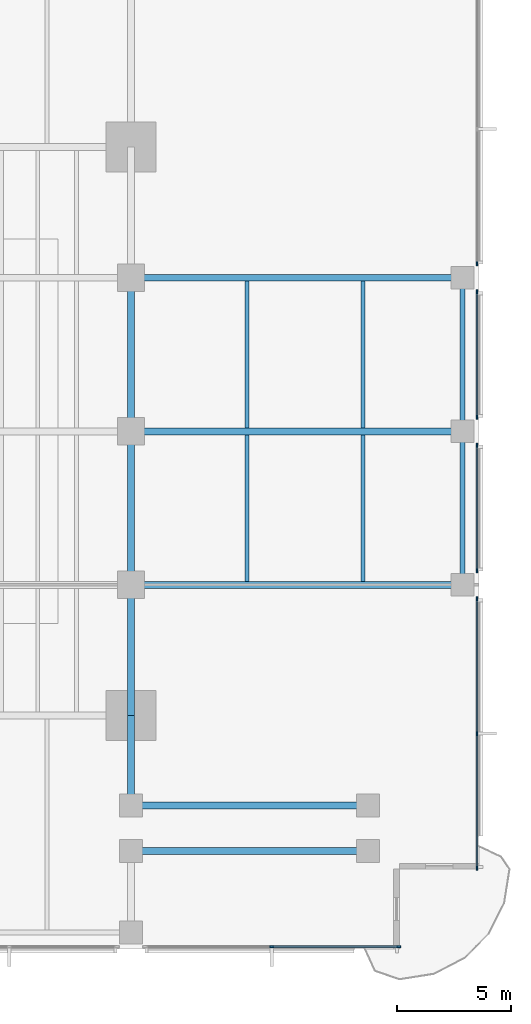
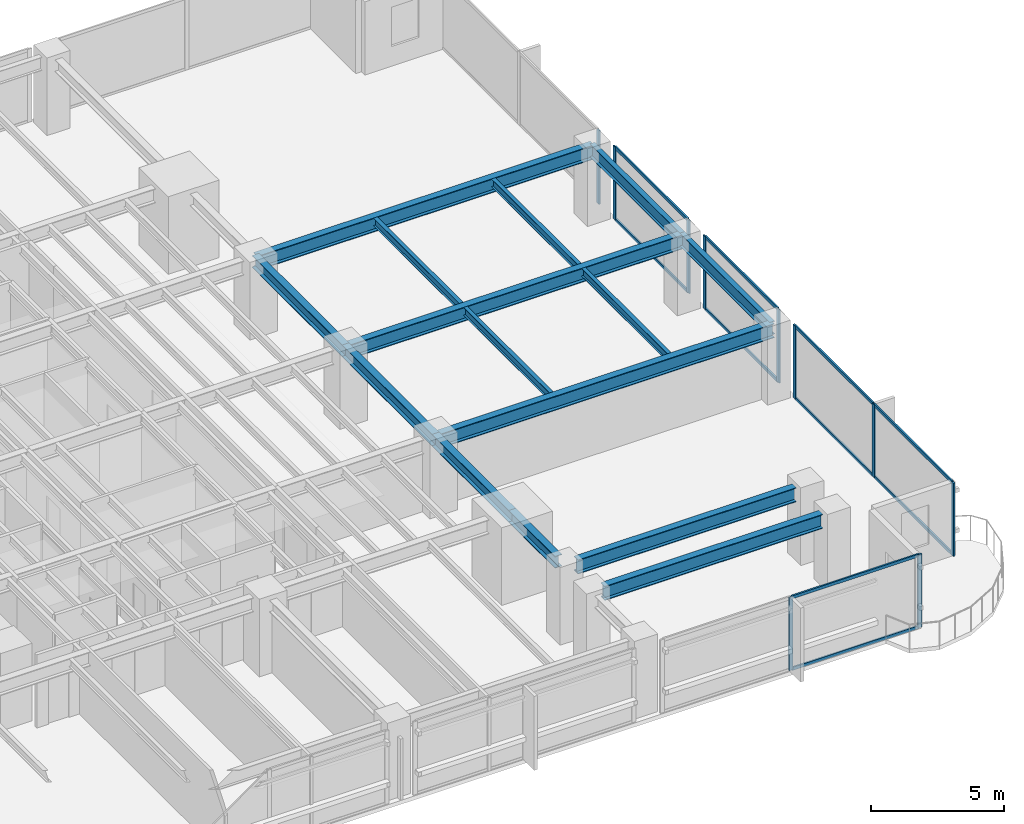
# One storey, part 4 of 15: 20 members, 15 beams, 5 elements without a shape of their own.
"""IFC4 building model written with IfcOpenShell, lengths in metres."""

from ifc_helpers import new_model, si_unit, direction, frame, origin, origin_2d, place, context, subcontext, project, spatial, rectangle, i_section, extrude, material, layer, layer_set, material_profile, profile_set, type_object, element, aggregate, save


model = new_model("IFC4")

# Units and contexts
model_context = context("Model", 3, precision=1e-05, world=origin(), true_north=direction((0.0, 1.0)))
body_context = subcontext(model_context, "Body", "Model", "MODEL_VIEW")
ifc_project = project(units=[si_unit("LENGTHUNIT", "METRE"), si_unit("AREAUNIT", "SQUARE_METRE"), si_unit("VOLUMEUNIT", "CUBIC_METRE"), si_unit("PLANEANGLEUNIT", "RADIAN"), si_unit("MASSUNIT", "GRAM", prefix="KILO")], contexts=[model_context])

# Site, building, storey
site_placement = place(None, origin())
site = spatial("IfcSite", under=ifc_project, at=site_placement, CompositionType="ELEMENT")
building_placement = place(site_placement, origin())
building = spatial("IfcBuilding", under=site, at=building_placement, Name="Kinhvarn Gate Tower", CompositionType="ELEMENT")
storey_placement = place(building_placement, frame((0.0, 0.0, 89.5)))
storey = spatial("IfcBuildingStorey", under=building, at=storey_placement, Name="L23", CompositionType="ELEMENT", Elevation=89.5)

# Curtain wall, members
ifc_material_1 = material(Name="Anodised aluminium AW-6063", Category="aluminium")
ifc_layer = layer(ifc_material_1, 0.179931640625)
ifc_layer_set = layer_set([ifc_layer], Name="Anodised aluminium AW-6063")
curtain_wall_type = type_object("IfcCurtainWallType", Name="CW-SYS-2", PredefinedType="NOTDEFINED", material=ifc_layer_set)
curtain_wall_1_placement = place(storey_placement, origin())
curtain_wall_1 = element("IfcCurtainWall", 1, at=curtain_wall_1_placement, inside=storey, type_object=curtain_wall_type, Name="Curtain Wall CW2 (L23)", PredefinedType="NOTDEFINED")
ifc_material_profile_1 = material_profile(ifc_material_1, rectangle(XDim=0.070068359375, YDim=0.179931640625, at=origin_2d()), Name="ALU 70x180")
ifc_profile_set_1 = profile_set([ifc_material_profile_1], Name="Anodised aluminium AW-6063")
member_type_1 = type_object("IfcMemberType", Name="CW-MUL-180", PredefinedType="MULLION", material=ifc_profile_set_1)
member_1_placement = place(storey_placement, frame((44.389892578125, 2.590087890625, 0.0), z_axis=(0.0, 0.0, 1.0), x_axis=(0.0, 1.0, 0.0)))
member_1 = element("IfcMember", 2, at=member_1_placement, type_object=member_type_1, Name="CW2 mullion 2", PredefinedType="MULLION", context=body_context, shape_type="SweptSolid", body=[
    extrude(rectangle(XDim=0.070068359375, YDim=0.179931640625, at=origin_2d()), origin(), (0.0, 0.0, 1.0), 3.35009765625),
])
member_2_placement = place(storey_placement, frame((49.965087890625, 2.590087890625, 0.0), z_axis=(0.0, 0.0, 1.0), x_axis=(0.0, 1.0, 0.0)))
member_2 = element("IfcMember", 3, at=member_2_placement, type_object=member_type_1, Name="CW2 mullion 3", PredefinedType="MULLION", context=body_context, shape_type="SweptSolid", body=[
    extrude(rectangle(XDim=0.070068359375, YDim=0.179931640625, at=origin_2d()), origin(), (0.0, 0.0, 1.0), 3.35009765625),
])

curtain_wall_2_placement = place(storey_placement, origin())
curtain_wall_2 = element("IfcCurtainWall", 4, at=curtain_wall_2_placement, inside=storey, type_object=curtain_wall_type, Name="Curtain Wall CW2 (L23)", PredefinedType="NOTDEFINED")
member_3_placement = place(storey_placement, frame((53.409912109375, 6.034912109375, 0.0), z_axis=(0.0, 0.0, 1.0), x_axis=(-1.0, 0.0, 0.0)))
member_3 = element("IfcMember", 5, at=member_3_placement, type_object=member_type_1, Name="CW2 mullion 1", PredefinedType="MULLION", context=body_context, shape_type="SweptSolid", body=[
    extrude(rectangle(XDim=0.070068359375, YDim=0.179931640625, at=origin_2d()), origin(), (0.0, 0.0, 1.0), 3.35009765625),
])
member_4_placement = place(storey_placement, frame((53.409912109375, 11.9599609375, 0.0), z_axis=(0.0, 0.0, 1.0), x_axis=(-1.0, 0.0, 0.0)))
member_4 = element("IfcMember", 6, at=member_4_placement, type_object=member_type_1, Name="CW2 mullion 2", PredefinedType="MULLION", context=body_context, shape_type="SweptSolid", body=[
    extrude(rectangle(XDim=0.070068359375, YDim=0.179931640625, at=origin_2d()), origin(), (0.0, 0.0, 1.0), 3.35009765625),
])
member_5_placement = place(storey_placement, frame((53.409912109375, 17.885009765625, 0.0), z_axis=(0.0, 0.0, 1.0), x_axis=(-1.0, 0.0, 0.0)))
member_5 = element("IfcMember", 7, at=member_5_placement, type_object=member_type_1, Name="CW2 mullion 3", PredefinedType="MULLION", context=body_context, shape_type="SweptSolid", body=[
    extrude(rectangle(XDim=0.070068359375, YDim=0.179931640625, at=origin_2d()), origin(), (0.0, 0.0, 1.0), 3.35009765625),
])

curtain_wall_3_placement = place(storey_placement, origin())
curtain_wall_3 = element("IfcCurtainWall", 8, at=curtain_wall_3_placement, inside=storey, type_object=curtain_wall_type, Name="Curtain Wall CW2 (L23)", PredefinedType="NOTDEFINED")
member_6_placement = place(storey_placement, frame((53.409912109375, 19.114990234375, 0.0), z_axis=(0.0, 0.0, 1.0), x_axis=(-1.0, 0.0, 0.0)))
member_6 = element("IfcMember", 9, at=member_6_placement, type_object=member_type_1, Name="CW2 mullion 1", PredefinedType="MULLION", context=body_context, shape_type="SweptSolid", body=[
    extrude(rectangle(XDim=0.070068359375, YDim=0.179931640625, at=origin_2d()), origin(), (0.0, 0.0, 1.0), 3.35009765625),
])
member_7_placement = place(storey_placement, frame((53.409912109375, 24.635009765625, 0.0), z_axis=(0.0, 0.0, 1.0), x_axis=(-1.0, 0.0, 0.0)))
member_7 = element("IfcMember", 10, at=member_7_placement, type_object=member_type_1, Name="CW2 mullion 2", PredefinedType="MULLION", context=body_context, shape_type="SweptSolid", body=[
    extrude(rectangle(XDim=0.070068359375, YDim=0.179931640625, at=origin_2d()), origin(), (0.0, 0.0, 1.0), 3.35009765625),
])

curtain_wall_4_placement = place(storey_placement, origin())
curtain_wall_4 = element("IfcCurtainWall", 11, at=curtain_wall_4_placement, inside=storey, type_object=curtain_wall_type, Name="Curtain Wall CW2 (L23)", PredefinedType="NOTDEFINED")
member_8_placement = place(storey_placement, frame((53.409912109375, 25.864990234375, 0.0), z_axis=(0.0, 0.0, 1.0), x_axis=(-1.0, 0.0, 0.0)))
member_8 = element("IfcMember", 12, at=member_8_placement, type_object=member_type_1, Name="CW2 mullion 1", PredefinedType="MULLION", context=body_context, shape_type="SweptSolid", body=[
    extrude(rectangle(XDim=0.070068359375, YDim=0.179931640625, at=origin_2d()), origin(), (0.0, 0.0, 1.0), 3.35009765625),
])
member_9_placement = place(storey_placement, frame((53.409912109375, 31.385009765625, 0.0), z_axis=(0.0, 0.0, 1.0), x_axis=(-1.0, 0.0, 0.0)))
member_9 = element("IfcMember", 13, at=member_9_placement, type_object=member_type_1, Name="CW2 mullion 2", PredefinedType="MULLION", context=body_context, shape_type="SweptSolid", body=[
    extrude(rectangle(XDim=0.070068359375, YDim=0.179931640625, at=origin_2d()), origin(), (0.0, 0.0, 1.0), 3.35009765625),
])

# Curtain wall, member
curtain_wall_5_placement = place(storey_placement, origin())
curtain_wall_5 = element("IfcCurtainWall", 14, at=curtain_wall_5_placement, inside=storey, type_object=curtain_wall_type, Name="Curtain Wall CW2 (L23)", PredefinedType="NOTDEFINED")
member_10_placement = place(storey_placement, frame((53.409912109375, 32.614990234375, 0.0), z_axis=(0.0, 0.0, 1.0), x_axis=(-1.0, 0.0, 0.0)))
member_10 = element("IfcMember", 15, at=member_10_placement, type_object=member_type_1, Name="CW2 mullion 1", PredefinedType="MULLION", context=body_context, shape_type="SweptSolid", body=[
    extrude(rectangle(XDim=0.070068359375, YDim=0.179931640625, at=origin_2d()), origin(), (0.0, 0.0, 1.0), 3.35009765625),
])
aggregate(curtain_wall_5, [member_10])

# Member
ifc_material_profile_2 = material_profile(ifc_material_1, rectangle(XDim=0.070068359375, YDim=0.139892578125, at=origin_2d()), Name="ALU 70x140")
ifc_profile_set_2 = profile_set([ifc_material_profile_2], Name="Anodised aluminium AW-6063")
member_type_2 = type_object("IfcMemberType", Name="CW-TRN-140", PredefinedType="USERDEFINED", material=ifc_profile_set_2)
member_11_placement = place(storey_placement, frame((44.425048828125, 2.590087890625, 0.034912109375), z_axis=(1.0, 0.0, 0.0), x_axis=(0.0, 1.0, 0.0)))
member_11 = element("IfcMember", 16, at=member_11_placement, type_object=member_type_2, Name="CW2 transom 2.1", ObjectType="TRANSOM", PredefinedType="USERDEFINED", context=body_context, shape_type="SweptSolid", body=[
    extrude(rectangle(XDim=0.070068359375, YDim=0.139892578125, at=origin_2d()), origin(), (0.0, 0.0, 1.0), 5.5048828125),
])

member_12_placement = place(storey_placement, frame((44.425048828125, 2.590087890625, 3.31494140625), z_axis=(1.0, 0.0, 0.0), x_axis=(0.0, 1.0, 0.0)))
member_12 = element("IfcMember", 17, at=member_12_placement, type_object=member_type_2, Name="CW2 transom 2.2", ObjectType="TRANSOM", PredefinedType="USERDEFINED", context=body_context, shape_type="SweptSolid", body=[
    extrude(rectangle(XDim=0.070068359375, YDim=0.139892578125, at=origin_2d()), origin(), (0.0, 0.0, 1.0), 5.5048828125),
])

aggregate(curtain_wall_1, [member_1, member_2, member_11, member_12])

member_13_placement = place(storey_placement, frame((53.409912109375, 6.070068359375, 0.034912109375), z_axis=(0.0, 1.0, 0.0), x_axis=(-1.0, 0.0, 0.0)))
member_13 = element("IfcMember", 18, at=member_13_placement, type_object=member_type_2, Name="CW2 transom 1.1", ObjectType="TRANSOM", PredefinedType="USERDEFINED", context=body_context, shape_type="SweptSolid", body=[
    extrude(rectangle(XDim=0.070068359375, YDim=0.139892578125, at=origin_2d()), origin(), (0.0, 0.0, 1.0), 5.85498046875),
])

member_14_placement = place(storey_placement, frame((53.409912109375, 6.070068359375, 3.31494140625), z_axis=(0.0, 1.0, 0.0), x_axis=(-1.0, 0.0, 0.0)))
member_14 = element("IfcMember", 19, at=member_14_placement, type_object=member_type_2, Name="CW2 transom 1.2", ObjectType="TRANSOM", PredefinedType="USERDEFINED", context=body_context, shape_type="SweptSolid", body=[
    extrude(rectangle(XDim=0.070068359375, YDim=0.139892578125, at=origin_2d()), origin(), (0.0, 0.0, 1.0), 5.85498046875),
])

member_15_placement = place(storey_placement, frame((53.409912109375, 11.9951171875, 0.034912109375), z_axis=(0.0, 1.0, 0.0), x_axis=(-1.0, 0.0, 0.0)))
member_15 = element("IfcMember", 20, at=member_15_placement, type_object=member_type_2, Name="CW2 transom 2.1", ObjectType="TRANSOM", PredefinedType="USERDEFINED", context=body_context, shape_type="SweptSolid", body=[
    extrude(rectangle(XDim=0.070068359375, YDim=0.139892578125, at=origin_2d()), origin(), (0.0, 0.0, 1.0), 5.85498046875),
])

member_16_placement = place(storey_placement, frame((53.409912109375, 11.9951171875, 3.31494140625), z_axis=(0.0, 1.0, 0.0), x_axis=(-1.0, 0.0, 0.0)))
member_16 = element("IfcMember", 21, at=member_16_placement, type_object=member_type_2, Name="CW2 transom 2.2", ObjectType="TRANSOM", PredefinedType="USERDEFINED", context=body_context, shape_type="SweptSolid", body=[
    extrude(rectangle(XDim=0.070068359375, YDim=0.139892578125, at=origin_2d()), origin(), (0.0, 0.0, 1.0), 5.85498046875),
])

aggregate(curtain_wall_2, [member_3, member_4, member_5, member_13, member_14, member_15, member_16])

member_17_placement = place(storey_placement, frame((53.409912109375, 19.14990234375, 0.034912109375), z_axis=(0.0, 1.0, 0.0), x_axis=(-1.0, 0.0, 0.0)))
member_17 = element("IfcMember", 22, at=member_17_placement, type_object=member_type_2, Name="CW2 transom 1.1", ObjectType="TRANSOM", PredefinedType="USERDEFINED", context=body_context, shape_type="SweptSolid", body=[
    extrude(rectangle(XDim=0.070068359375, YDim=0.139892578125, at=origin_2d()), origin(), (0.0, 0.0, 1.0), 5.4501953125),
])

member_18_placement = place(storey_placement, frame((53.409912109375, 19.14990234375, 3.31494140625), z_axis=(0.0, 1.0, 0.0), x_axis=(-1.0, 0.0, 0.0)))
member_18 = element("IfcMember", 23, at=member_18_placement, type_object=member_type_2, Name="CW2 transom 1.2", ObjectType="TRANSOM", PredefinedType="USERDEFINED", context=body_context, shape_type="SweptSolid", body=[
    extrude(rectangle(XDim=0.070068359375, YDim=0.139892578125, at=origin_2d()), origin(), (0.0, 0.0, 1.0), 5.4501953125),
])

aggregate(curtain_wall_3, [member_6, member_7, member_17, member_18])

member_19_placement = place(storey_placement, frame((53.409912109375, 25.89990234375, 0.034912109375), z_axis=(0.0, 1.0, 0.0), x_axis=(-1.0, 0.0, 0.0)))
member_19 = element("IfcMember", 24, at=member_19_placement, type_object=member_type_2, Name="CW2 transom 1.1", ObjectType="TRANSOM", PredefinedType="USERDEFINED", context=body_context, shape_type="SweptSolid", body=[
    extrude(rectangle(XDim=0.070068359375, YDim=0.139892578125, at=origin_2d()), origin(), (0.0, 0.0, 1.0), 5.4501953125),
])

member_20_placement = place(storey_placement, frame((53.409912109375, 25.89990234375, 3.31494140625), z_axis=(0.0, 1.0, 0.0), x_axis=(-1.0, 0.0, 0.0)))
member_20 = element("IfcMember", 25, at=member_20_placement, type_object=member_type_2, Name="CW2 transom 1.2", ObjectType="TRANSOM", PredefinedType="USERDEFINED", context=body_context, shape_type="SweptSolid", body=[
    extrude(rectangle(XDim=0.070068359375, YDim=0.139892578125, at=origin_2d()), origin(), (0.0, 0.0, 1.0), 5.4501953125),
])

aggregate(curtain_wall_4, [member_8, member_9, member_19, member_20])

# Beams
ifc_material_2 = material(Name="Steel S355", Category="steel")
ifc_material_profile_3 = material_profile(ifc_material_2, i_section(OverallWidth=0.300048828125, OverallDepth=0.550048828125, WebThickness=0.014892578125, FlangeThickness=0.029052734375, at=origin_2d()), Name="HEB 550")
ifc_profile_set_3 = profile_set([ifc_material_profile_3], Name="Steel S355")
beam_type_1 = type_object("IfcBeamType", Name="STL-HEB550", PredefinedType="BEAM", material=ifc_profile_set_3)
beam_1_placement = place(storey_placement, frame((38.199951171875, 9.284912109375, 3.074951171875), z_axis=(0.0, 1.0, 0.0), x_axis=(-1.0, 0.0, 0.0)))
element("IfcBeam", 26, at=beam_1_placement, inside=storey, type_object=beam_type_1, Name="Floor Beam PG-15 (L23 MCE-S-A2)", PredefinedType="BEAM", context=body_context, shape_type="SweptSolid", body=[
    extrude(i_section(OverallWidth=0.300048828125, OverallDepth=0.550048828125, WebThickness=0.014892578125, FlangeThickness=0.029052734375, at=origin_2d()), origin(), (0.0, 0.0, 1.0), 3.465087890625),
])
beam_2_placement = place(storey_placement, frame((38.199951171875, 12.75, 3.074951171875), z_axis=(0.0, 1.0, 0.0), x_axis=(-1.0, 0.0, 0.0)))
element("IfcBeam", 27, at=beam_2_placement, inside=storey, type_object=beam_type_1, Name="Floor Beam PG-15 (L23 MG-E-12)", PredefinedType="BEAM", context=body_context, shape_type="SweptSolid", body=[
    extrude(i_section(OverallWidth=0.300048828125, OverallDepth=0.550048828125, WebThickness=0.014892578125, FlangeThickness=0.029052734375, at=origin_2d()), origin(), (0.0, 0.0, 1.0), 5.75),
])
for number, where, z_axis, x_axis, name in (
    (28, (38.199951171875, 18.5, 3.074951171875), (0.0, 1.0, 0.0), (-1.0, 0.0, 0.0), "Floor Beam PG-15 (L23 MG-E-18)"),
    (29, (38.199951171875, 25.25, 3.074951171875), (0.0, 1.0, 0.0), (-1.0, 0.0, 0.0), "Floor Beam PG-15 (L23 MG-E-25)"),
):
    element("IfcBeam", number, at=place(storey_placement, frame(where, z_axis=z_axis, x_axis=x_axis)), inside=storey, type_object=beam_type_1, Name=name, PredefinedType="BEAM", context=body_context, shape_type="SweptSolid", body=[
        extrude(i_section(OverallWidth=0.300048828125, OverallDepth=0.550048828125, WebThickness=0.014892578125, FlangeThickness=0.029052734375, at=origin_2d()), origin(), (0.0, 0.0, 1.0), 6.75),
    ])
ifc_material_profile_4 = material_profile(ifc_material_2, i_section(OverallWidth=0.300048828125, OverallDepth=0.64990234375, WebThickness=0.01611328125, FlangeThickness=0.031005859375, at=origin_2d()), Name="HEB 650")
ifc_profile_set_4 = profile_set([ifc_material_profile_4], Name="Steel S355")
beam_type_2 = type_object("IfcBeamType", Name="STL-HEB650", PredefinedType="BEAM", material=ifc_profile_set_4)
for number, where, z_axis, x_axis, name in (
    (30, (38.68505859375, 8.800048828125, 3.02490234375), (1.0, 0.0, 0.0), (0.0, 1.0, 0.0), "Floor Beam PG-17 (L23 SP-SE1B)"),
    (31, (38.68505859375, 6.800048828125, 3.02490234375), (1.0, 0.0, 0.0), (0.0, 1.0, 0.0), "Floor Beam PG-17 (L23 SP-SE1A)"),
):
    element("IfcBeam", number, at=place(storey_placement, frame(where, z_axis=z_axis, x_axis=x_axis)), inside=storey, type_object=beam_type_2, Name=name, PredefinedType="BEAM", context=body_context, shape_type="SweptSolid", body=[
        extrude(i_section(OverallWidth=0.300048828125, OverallDepth=0.64990234375, WebThickness=0.01611328125, FlangeThickness=0.031005859375, at=origin_2d()), origin(), (0.0, 0.0, 1.0), 9.449951171875),
    ])
for number, where, z_axis, x_axis, name in (
    (32, (38.199951171875, 18.5, 3.02490234375), (1.0, 0.0, 0.0), (0.0, 1.0, 0.0), "Floor Beam PG-17 (L23 EW2-Y18)"),
    (33, (38.199951171875, 25.25, 3.02490234375), (1.0, 0.0, 0.0), (0.0, 1.0, 0.0), "Floor Beam PG-17 (L23 EW2-Y25)"),
    (34, (38.199951171875, 32.0, 3.02490234375), (1.0, 0.0, 0.0), (0.0, 1.0, 0.0), "Floor Beam PG-17 (L23 EW2-Y32)"),
):
    element("IfcBeam", number, at=place(storey_placement, frame(where, z_axis=z_axis, x_axis=x_axis)), inside=storey, type_object=beam_type_2, Name=name, PredefinedType="BEAM", context=body_context, shape_type="SweptSolid", body=[
        extrude(i_section(OverallWidth=0.300048828125, OverallDepth=0.64990234375, WebThickness=0.01611328125, FlangeThickness=0.031005859375, at=origin_2d()), origin(), (0.0, 0.0, 1.0), 14.580078125),
    ])
ifc_material_profile_5 = material_profile(ifc_material_2, i_section(OverallWidth=0.169921875, OverallDepth=0.360107421875, WebThickness=0.008056640625, FlangeThickness=0.0126953125, at=origin_2d()), Name="IPE 360")
ifc_profile_set_5 = profile_set([ifc_material_profile_5], Name="Steel S355")
beam_type_3 = type_object("IfcBeamType", Name="STL-IPE360", PredefinedType="JOIST", material=ifc_profile_set_5)
for number, where, z_axis, x_axis, name in (
    (35, (43.300048828125, 18.64990234375, 3.169921875), (0.0, 1.0, 0.0), (-1.0, 0.0, 0.0), "Floor Joist SB-04 (L23 JC-X433-1)"),
    (36, (43.300048828125, 25.39990234375, 3.169921875), (0.0, 1.0, 0.0), (-1.0, 0.0, 0.0), "Floor Joist SB-04 (L23 JC-X433-2)"),
    (37, (48.409912109375, 18.64990234375, 3.169921875), (0.0, 1.0, 0.0), (-1.0, 0.0, 0.0), "Floor Joist SB-04 (L23 JC-X484-1)"),
    (38, (48.409912109375, 25.39990234375, 3.169921875), (0.0, 1.0, 0.0), (-1.0, 0.0, 0.0), "Floor Joist SB-04 (L23 JC-X484-2)"),
):
    element("IfcBeam", number, at=place(storey_placement, frame(where, z_axis=z_axis, x_axis=x_axis)), inside=storey, type_object=beam_type_3, Name=name, PredefinedType="JOIST", context=body_context, shape_type="SweptSolid", body=[
        extrude(i_section(OverallWidth=0.169921875, OverallDepth=0.360107421875, WebThickness=0.008056640625, FlangeThickness=0.0126953125, at=origin_2d()), origin(), (0.0, 0.0, 1.0), 6.4501953125),
    ])
ifc_material_profile_6 = material_profile(ifc_material_2, i_section(OverallWidth=0.219970703125, OverallDepth=0.60009765625, WebThickness=0.011962890625, FlangeThickness=0.01904296875, at=origin_2d()), Name="IPE 600")
ifc_profile_set_6 = profile_set([ifc_material_profile_6], Name="Steel S355")
beam_type_4 = type_object("IfcBeamType", Name="STL-IPE600", PredefinedType="SPANDREL", material=ifc_profile_set_6)
for number, where, z_axis, x_axis, name in (
    (39, (52.780029296875, 18.5, 3.050048828125), (0.0, 1.0, 0.0), (-1.0, 0.0, 0.0), "Floor Spandrel SB-09 (L23 SP-E2)"),
    (40, (52.780029296875, 25.25, 3.050048828125), (0.0, 1.0, 0.0), (-1.0, 0.0, 0.0), "Floor Spandrel SB-09 (L23 SP-E3)"),
):
    element("IfcBeam", number, at=place(storey_placement, frame(where, z_axis=z_axis, x_axis=x_axis)), inside=storey, type_object=beam_type_4, Name=name, PredefinedType="SPANDREL", context=body_context, shape_type="SweptSolid", body=[
        extrude(i_section(OverallWidth=0.219970703125, OverallDepth=0.60009765625, WebThickness=0.011962890625, FlangeThickness=0.01904296875, at=origin_2d()), origin(), (0.0, 0.0, 1.0), 6.75),
    ])

save(model, "model.ifc")
